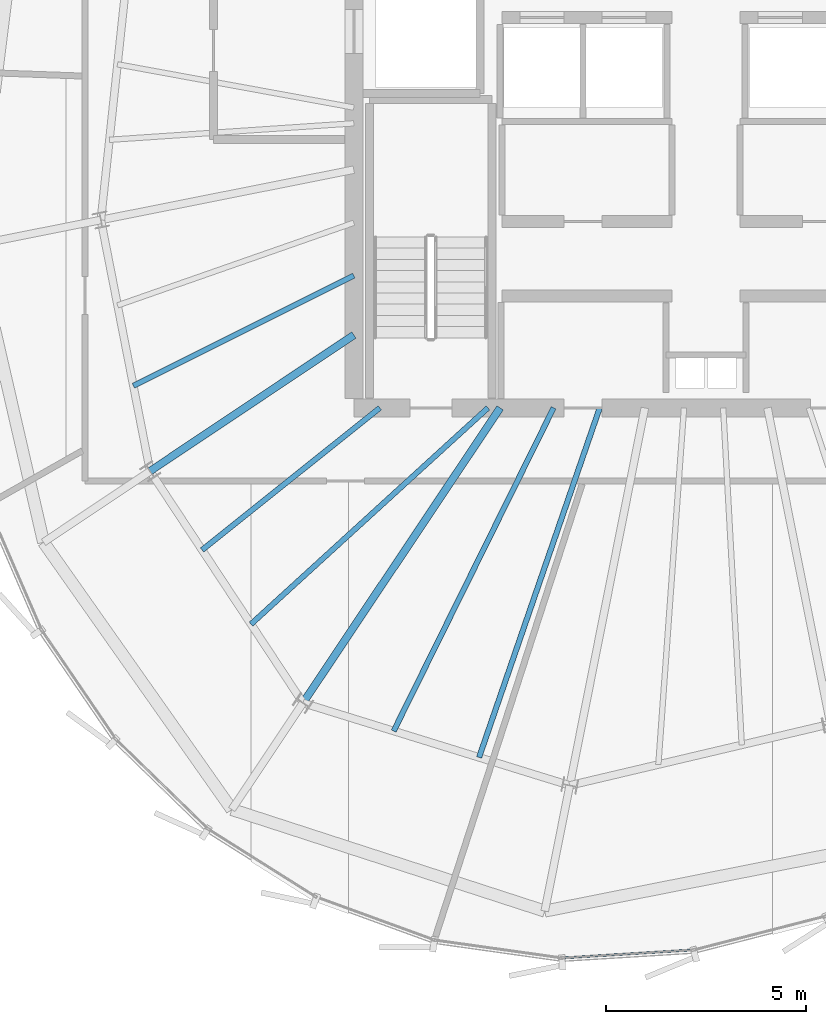
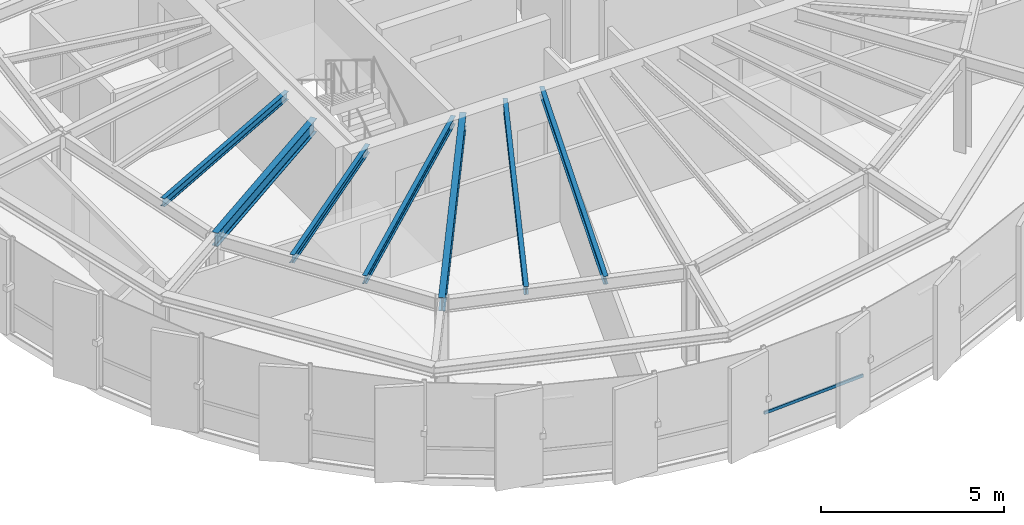
# One storey, part 6 of 31: 7 beams, 1 member, 1 element without a shape of its own.
"""IFC4 building model written with IfcOpenShell, lengths in metres."""

from ifc_helpers import new_model, si_unit, direction, frame, origin, origin_2d, place, context, subcontext, project, spatial, hollow_rectangle, i_section, extrude, source, transform, mapped, material, layer, layer_set, material_profile, profile_set, type_object, element, aggregate, save


model = new_model("IFC4")

# Units and contexts
model_context = context("Model", 3, precision=1e-05, world=origin(), true_north=direction((0.0, 1.0)))
body_context = subcontext(model_context, "Body", "Model", "MODEL_VIEW")
ifc_project = project(units=[si_unit("LENGTHUNIT", "METRE"), si_unit("AREAUNIT", "SQUARE_METRE"), si_unit("VOLUMEUNIT", "CUBIC_METRE"), si_unit("PLANEANGLEUNIT", "RADIAN"), si_unit("MASSUNIT", "GRAM", prefix="KILO"), si_unit("THERMODYNAMICTEMPERATUREUNIT", "KELVIN")], contexts=[model_context])

# Site, building, storey
site_placement = place(None, origin())
site = spatial("IfcSite", under=ifc_project, at=site_placement, CompositionType="ELEMENT")
building_placement = place(site_placement, origin())
building = spatial("IfcBuilding", under=site, at=building_placement, Name="Kethvar Cultural Tower", CompositionType="ELEMENT")
storey_placement = place(building_placement, frame((0.0, 0.0, 290.5)))
storey = spatial("IfcBuildingStorey", under=building, at=storey_placement, Name="L77", CompositionType="ELEMENT", Elevation=290.5)

# Beams
ifc_material_1 = material(Name="Steel S355J2", Category="steel")
ifc_material_profile_1 = material_profile(ifc_material_1, i_section(OverallWidth=0.18994140625, OverallDepth=0.449951171875, WebThickness=0.009521484375, FlangeThickness=0.0146484375, FilletRadius=0.02099609375, at=origin_2d()), Name="Steel S355J2 — IPE450")
ifc_profile_set_1 = profile_set([ifc_material_profile_1], Name="Steel S355J2 — IPE450")
beam_type_1 = type_object("IfcBeamType", Name="BM-IPE450", PredefinedType="BEAM", material=ifc_profile_set_1)
shared_shape_1 = source(origin(), body_context, "Body", "SweptSolid", [
    extrude(i_section(OverallWidth=0.18994140625, OverallDepth=0.449951171875, WebThickness=0.009521484375, FlangeThickness=0.0146484375, FilletRadius=0.02099609375, at=origin_2d()), origin(), (0.0, 0.0, 1.0), 6.118408203125),
])
beam_1_placement = place(storey_placement, frame((38.0, 21.920166015625, 2.98291015625), z_axis=(-0.831466631282, -0.555574694406, 0.0), x_axis=(0.555574694406, -0.831466631282, 0.0)))
element("IfcBeam", 1, at=beam_1_placement, inside=storey, type_object=beam_type_1, Name="L77 Primary Radial Beam RB-10", PredefinedType="BEAM", context=body_context, shape_type="MappedRepresentation", body=[
    mapped(shared_shape_1, transform((0.0, 0.0, 0.0), scale=1.0)),
])
shared_shape_2 = source(origin(), body_context, "Body", "SweptSolid", [
    extrude(i_section(OverallWidth=0.18994140625, OverallDepth=0.449951171875, WebThickness=0.009521484375, FlangeThickness=0.0146484375, FilletRadius=0.02099609375, at=origin_2d()), origin(), (0.0, 0.0, 1.0), 8.86279296875),
])
beam_2_placement = place(storey_placement, frame((41.655029296875, 20.10009765625, 2.98291015625), z_axis=(-0.555564443415, -0.831473480764, 0.0), x_axis=(0.831473480764, -0.555564443415, 0.0)))
element("IfcBeam", 2, at=beam_2_placement, inside=storey, type_object=beam_type_1, Name="L77 Primary Radial Beam RB-11", PredefinedType="BEAM", context=body_context, shape_type="MappedRepresentation", body=[
    mapped(shared_shape_2, transform((0.0, 0.0, 0.0), scale=1.0)),
])
ifc_material_profile_2 = material_profile(ifc_material_1, i_section(OverallWidth=0.135009765625, OverallDepth=0.27001953125, WebThickness=0.006591796875, FlangeThickness=0.01025390625, FilletRadius=0.014892578125, at=origin_2d()), Name="Steel S355J2 — IPE270")
ifc_profile_set_2 = profile_set([ifc_material_profile_2], Name="Steel S355J2 — IPE270")
beam_type_2 = type_object("IfcBeamType", Name="BM-J270", PredefinedType="JOIST", material=ifc_profile_set_2)
shared_shape_3 = source(origin(), body_context, "Body", "SweptSolid", [
    extrude(i_section(OverallWidth=0.135009765625, OverallDepth=0.27001953125, WebThickness=0.006591796875, FlangeThickness=0.01025390625, FilletRadius=0.014892578125, at=origin_2d()), origin(), (0.0, 0.0, 1.0), 6.154052734375),
])
beam_3_placement = place(storey_placement, frame((38.0, 23.40380859375, 3.072998046875), z_axis=(-0.89458581954, -0.446896197655, 0.0), x_axis=(0.446896197655, -0.89458581954, 0.0)))
element("IfcBeam", 3, at=beam_3_placement, inside=storey, type_object=beam_type_2, Name="L77 Composite Floor Joist J-09B", PredefinedType="JOIST", context=body_context, shape_type="MappedRepresentation", body=[
    mapped(shared_shape_3, transform((0.0, 0.0, 0.0), scale=1.0)),
])
shared_shape_4 = source(origin(), body_context, "Body", "SweptSolid", [
    extrude(i_section(OverallWidth=0.135009765625, OverallDepth=0.27001953125, WebThickness=0.006591796875, FlangeThickness=0.01025390625, FilletRadius=0.014892578125, at=origin_2d()), origin(), (0.0, 0.0, 1.0), 5.68212890625),
])
beam_4_placement = place(storey_placement, frame((38.64990234375, 20.10009765625, 3.072998046875), z_axis=(-0.781157957733, -0.624333440615, 0.0), x_axis=(0.624333440615, -0.781157957733, 0.0)))
element("IfcBeam", 4, at=beam_4_placement, inside=storey, type_object=beam_type_2, Name="L77 Composite Floor Joist J-10A", PredefinedType="JOIST", context=body_context, shape_type="MappedRepresentation", body=[
    mapped(shared_shape_4, transform((0.0, 0.0, 0.0), scale=1.0)),
])
shared_shape_5 = source(origin(), body_context, "Body", "SweptSolid", [
    extrude(i_section(OverallWidth=0.135009765625, OverallDepth=0.27001953125, WebThickness=0.006591796875, FlangeThickness=0.01025390625, FilletRadius=0.014892578125, at=origin_2d()), origin(), (0.0, 0.0, 1.0), 8.010986328125),
])
beam_5_placement = place(storey_placement, frame((41.35009765625, 20.10009765625, 3.072998046875), z_axis=(-0.738614798856, -0.674127717061, 0.0), x_axis=(0.674127717061, -0.738614798856, 0.0)))
element("IfcBeam", 5, at=beam_5_placement, inside=storey, type_object=beam_type_2, Name="L77 Composite Floor Joist J-10B", PredefinedType="JOIST", context=body_context, shape_type="MappedRepresentation", body=[
    mapped(shared_shape_5, transform((0.0, 0.0, 0.0), scale=1.0)),
])
shared_shape_6 = source(origin(), body_context, "Body", "SweptSolid", [
    extrude(i_section(OverallWidth=0.135009765625, OverallDepth=0.27001953125, WebThickness=0.006591796875, FlangeThickness=0.01025390625, FilletRadius=0.014892578125, at=origin_2d()), origin(), (0.0, 0.0, 1.0), 9.00341796875),
])
beam_6_placement = place(storey_placement, frame((42.989501953125, 20.10009765625, 3.072998046875), z_axis=(-0.443543695319, -0.896252749141, 0.0), x_axis=(0.896252749141, -0.443543695319, 0.0)))
element("IfcBeam", 6, at=beam_6_placement, inside=storey, type_object=beam_type_2, Name="L77 Composite Floor Joist J-11A", PredefinedType="JOIST", context=body_context, shape_type="MappedRepresentation", body=[
    mapped(shared_shape_6, transform((0.0, 0.0, 0.0), scale=1.0)),
])
shared_shape_7 = source(origin(), body_context, "Body", "SweptSolid", [
    extrude(i_section(OverallWidth=0.135009765625, OverallDepth=0.27001953125, WebThickness=0.006591796875, FlangeThickness=0.01025390625, FilletRadius=0.014892578125, at=origin_2d()), origin(), (0.0, 0.0, 1.0), 9.234130859375),
])
beam_7_placement = place(storey_placement, frame((44.1416015625, 20.10009765625, 3.072998046875), z_axis=(-0.326362208058, -0.945244787953, 0.0), x_axis=(0.945244787953, -0.326362208058, 0.0)))
element("IfcBeam", 7, at=beam_7_placement, inside=storey, type_object=beam_type_2, Name="L77 Composite Floor Joist J-11B", PredefinedType="JOIST", context=body_context, shape_type="MappedRepresentation", body=[
    mapped(shared_shape_7, transform((0.0, 0.0, 0.0), scale=1.0)),
])

# Curtain wall, member
ifc_material_2 = material(Name="Aluminium 6063-T6", Category="aluminium")
ifc_layer = layer(ifc_material_2, 0.179931640625, Name="Aluminium 6063-T6", Category="aluminium")
ifc_layer_set = layer_set([ifc_layer], Name="Aluminium 6063-T6 (180 mm)")
curtain_wall_type = type_object("IfcCurtainWallType", Name="CW-SYS-05-Z56", PredefinedType="NOTDEFINED", material=ifc_layer_set)
curtain_wall_placement = place(storey_placement, origin())
curtain_wall = element("IfcCurtainWall", 8, at=curtain_wall_placement, inside=storey, type_object=curtain_wall_type, Name="L77 Curtain Wall Run 04", PredefinedType="NOTDEFINED")
ifc_material_profile_3 = material_profile(ifc_material_2, hollow_rectangle(XDim=0.050048828125, YDim=0.10009765625, WallThickness=0.00390625, at=origin_2d()), Name="Aluminium 6063-T6 — RHS100x50x4")
ifc_profile_set_3 = profile_set([ifc_material_profile_3], Name="Aluminium 6063-T6 — RHS100x50x4")
member_type = type_object("IfcMemberType", Name="CW-SYS-05-Z56-TRN", PredefinedType="USERDEFINED", material=ifc_profile_set_3)
shared_shape_8 = source(origin(), body_context, "Body", "SweptSolid", [
    extrude(hollow_rectangle(XDim=0.050048828125, YDim=0.10009765625, WallThickness=0.00390625, at=origin_2d()), origin(), (0.0, 0.0, 1.0), 3.23828125),
])
member_placement = place(storey_placement, frame((43.234619140625, 6.364501953125, 0.949951171875), z_axis=(0.998096622508, 0.061669539785, 0.0), x_axis=(-0.061669539785, 0.998096622508, 0.0)))
member = element("IfcMember", 9, at=member_placement, type_object=member_type, Name="CW-L77-R04 Transom 3", ObjectType="TRANSOM", PredefinedType="USERDEFINED", context=body_context, shape_type="MappedRepresentation", body=[
    mapped(shared_shape_8, transform((0.0, 0.0, 0.0), scale=1.0)),
])
aggregate(curtain_wall, [member])

save(model, "model.ifc")
